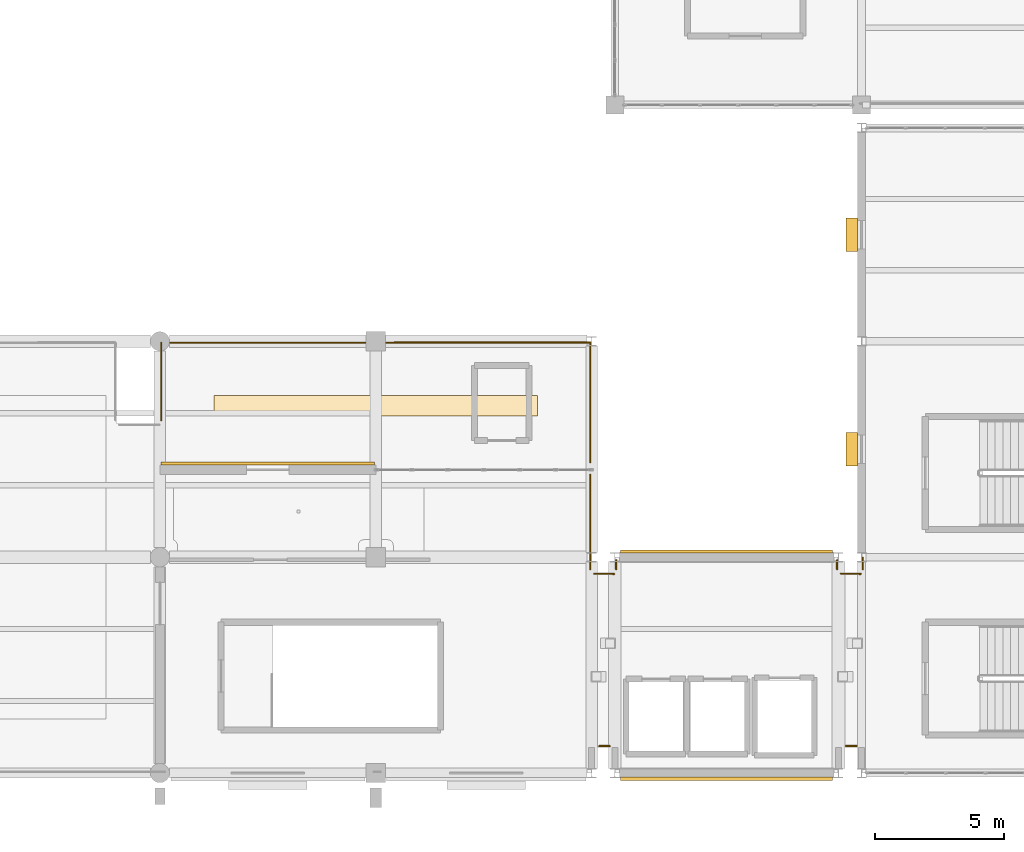
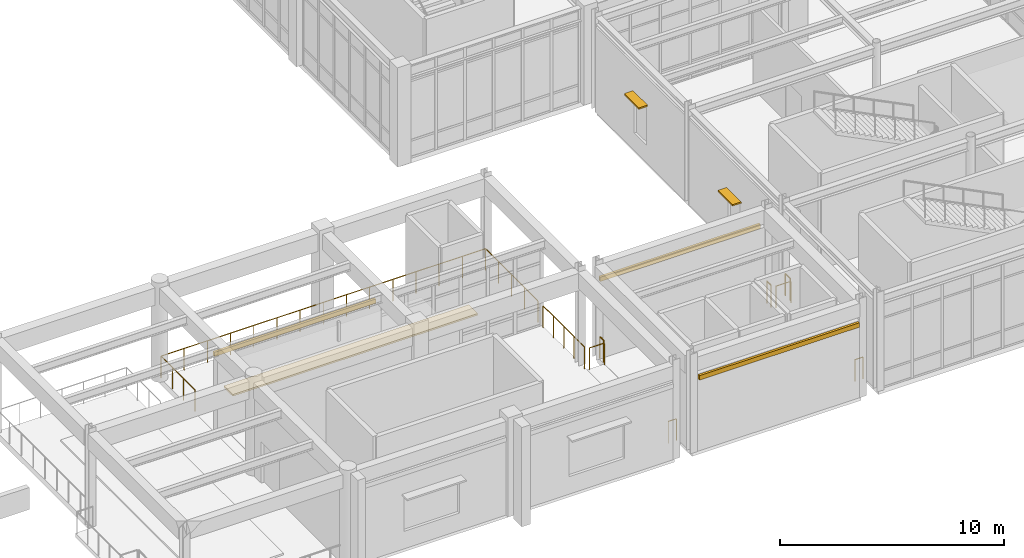
# One storey, part 73 of 80: 11 railings, 4 coverings, 2 shading devices.
"""IFC4 building model written with IfcOpenShell, lengths in metres."""

from ifc_helpers import new_model, si_unit, direction, frame, origin, origin_2d, place, context, subcontext, project, spatial, rectangle, circle, extrude, material, layer, layer_set, type_object, element, save


model = new_model("IFC4")

# Units and contexts
model_context = context("Model", 3, precision=1e-05, world=origin(), true_north=direction((0.0, 1.0)))
body_context = subcontext(model_context, "Body", "Model", "MODEL_VIEW")
ifc_project = project(units=[si_unit("LENGTHUNIT", "METRE"), si_unit("AREAUNIT", "SQUARE_METRE"), si_unit("VOLUMEUNIT", "CUBIC_METRE"), si_unit("PLANEANGLEUNIT", "RADIAN"), si_unit("MASSUNIT", "GRAM", prefix="KILO")], contexts=[model_context])

# Site, building, storey
site_placement = place(None, origin())
site = spatial("IfcSite", under=ifc_project, at=site_placement, CompositionType="ELEMENT")
building_placement = place(site_placement, origin())
building = spatial("IfcBuilding", under=site, at=building_placement, Name="Canglan Escarpment Cableway Terminal", CompositionType="ELEMENT")
storey_placement = place(building_placement, frame((0.0, 0.0, 19.199951171875)))
storey = spatial("IfcBuildingStorey", under=building, at=storey_placement, Name="L04", CompositionType="ELEMENT", Elevation=19.199951171875)

# Coverings
ifc_material_1 = material(Name="Carved classical limestone cornice", Category="masonry")
ifc_layer_1 = layer(ifc_material_1, 0.1201171875, Name="Carved classical limestone cornice")
ifc_layer_set_1 = layer_set([ifc_layer_1], Name="Carved classical limestone cornice")
covering_type_1 = type_object("IfcCoveringType", Name="COV-CORNICE-STONE", PredefinedType="CLADDING", material=ifc_layer_set_1)
covering_1_placement = place(storey_placement, frame((124.10009765625, 20.0400390625, 4.03515625), z_axis=(0.0, 0.0, 1.0), x_axis=(-1.0, 0.0, 0.0)))
element("IfcCovering", 1, at=covering_1_placement, inside=storey, type_object=covering_type_1, Name="Classical carved limestone cornice CL-01", PredefinedType="CLADDING", context=body_context, shape_type="SweptSolid", body=[
    extrude(rectangle(XDim=8.300048828125, YDim=0.1201171875, at=origin_2d()), origin(), (0.0, 0.0, 1.0), 0.239990234375),
])
for number, where, z_axis, x_axis, name in (
    (2, (141.949951171875, 7.780029296875, 3.93505859375), (0.0, 0.0, 1.0), (1.0, 0.0, 0.0), "Classical carved limestone cornice CL-01"),
    (3, (141.949951171875, 16.6201171875, 3.93505859375), (0.0, 0.0, 1.0), (-1.0, 0.0, 0.0), "Classical carved limestone cornice CL-01"),
):
    element("IfcCovering", number, at=place(storey_placement, frame(where, z_axis=z_axis, x_axis=x_axis)), inside=storey, type_object=covering_type_1, Name=name, PredefinedType="CLADDING", context=body_context, shape_type="SweptSolid", body=[
        extrude(rectangle(XDim=8.25, YDim=0.1201171875, at=origin_2d()), origin(), (0.0, 0.0, 1.0), 0.239990234375),
    ])
ifc_material_2 = material(Name="Planted extensive sedum green roof assembly", Category="earth")
ifc_layer_2 = layer(ifc_material_2, 0.090087890625, Name="Planted extensive sedum green roof assembly")
ifc_layer_set_2 = layer_set([ifc_layer_2], Name="Planted extensive sedum green roof assembly")
covering_type_2 = type_object("IfcCoveringType", Name="COV-ROOF-GREEN", PredefinedType="ROOFING", material=ifc_layer_set_2)
covering_2_placement = place(storey_placement, frame((128.300048828125, 22.300048828125, 0.0), z_axis=(0.0, 0.0, 1.0), x_axis=(1.0, 0.0, 0.0)))
element("IfcCovering", 4, at=covering_2_placement, inside=storey, type_object=covering_type_2, Name="Planted extensive sedum green roof garden RF-G1", PredefinedType="ROOFING", context=body_context, shape_type="SweptSolid", body=[
    extrude(rectangle(XDim=12.60009765625, YDim=0.800048828125, at=origin_2d()), origin(), (0.0, 0.0, 1.0), 0.090087890625),
])

# Railings
ifc_material_3 = material(Name="Carved limestone and anodized bronze balustrade", Category="masonry")
railing_type = type_object("IfcRailingType", Name="RL-EXT-BALUSTRADE-1200", PredefinedType="BALUSTRADE", material=ifc_material_3)
railing_1_placement = place(storey_placement, frame((119.949951171875, 21.72998046875, 0.0)))
element("IfcRailing", 5, at=railing_1_placement, inside=storey, type_object=railing_type, Name="Classical terrace balustrade guard GD-01 (L04)", PredefinedType="BALUSTRADE", context=body_context, shape_type="SweptSolid", body=[
    extrude(circle(Radius=0.02392578125, at=origin_2d()), frame((0.0, 0.0, 1.17578125), z_axis=(0.0, 1.0, 0.0), x_axis=(-1.0, 0.0, 0.0)), (0.0, 0.0, 1.0), 3.01806640625),
    extrude(circle(Radius=0.02099609375, at=origin_2d()), origin(), (0.0, 0.0, 1.0), 1.15185546875),
    extrude(circle(Radius=0.02099609375, at=origin_2d()), frame((0.0, 1.006103515625, 0.0)), (0.0, 0.0, 1.0), 1.15185546875),
    extrude(circle(Radius=0.02099609375, at=origin_2d()), frame((0.0, 2.011962890625, 0.0)), (0.0, 0.0, 1.0), 1.15185546875),
    extrude(circle(Radius=0.02099609375, at=origin_2d()), frame((0.0, 3.01806640625, 0.0)), (0.0, 0.0, 1.0), 1.15185546875),
])
railing_2_placement = place(storey_placement, frame((119.949951171875, 24.748046875, 0.0)))
element("IfcRailing", 6, at=railing_2_placement, inside=storey, type_object=railing_type, Name="Classical terrace balustrade guard GD-01 (L04)", PredefinedType="BALUSTRADE", context=body_context, shape_type="SweptSolid", body=[
    extrude(circle(Radius=0.02392578125, at=origin_2d()), frame((0.0, 0.0, 1.17578125), z_axis=(0.999999993159, 0.000116967614, 0.0), x_axis=(-0.000116967614, 0.999999993159, 0.0)), (0.0, 0.0, 1.0), 16.697998046875),
    extrude(circle(Radius=0.02099609375, at=origin_2d()), origin(), (0.0, 0.0, 1.0), 1.15185546875),
    extrude(circle(Radius=0.02099609375, at=origin_2d()), frame((1.192626953125, 0.000244140625, 0.0)), (0.0, 0.0, 1.0), 1.15185546875),
    extrude(circle(Radius=0.02099609375, at=origin_2d()), frame((2.385498046875, 0.000244140625, 0.0)), (0.0, 0.0, 1.0), 1.15185546875),
    extrude(circle(Radius=0.02099609375, at=origin_2d()), frame((3.578125, 0.00048828125, 0.0)), (0.0, 0.0, 1.0), 1.15185546875),
    extrude(circle(Radius=0.02099609375, at=origin_2d()), frame((4.770751953125, 0.00048828125, 0.0)), (0.0, 0.0, 1.0), 1.15185546875),
    extrude(circle(Radius=0.02099609375, at=origin_2d()), frame((5.963623046875, 0.000732421875, 0.0)), (0.0, 0.0, 1.0), 1.15185546875),
    extrude(circle(Radius=0.02099609375, at=origin_2d()), frame((7.15625, 0.000732421875, 0.0)), (0.0, 0.0, 1.0), 1.15185546875),
    extrude(circle(Radius=0.02099609375, at=origin_2d()), frame((8.34912109375, 0.0009765625, 0.0)), (0.0, 0.0, 1.0), 1.15185546875),
    extrude(circle(Radius=0.02099609375, at=origin_2d()), frame((9.541748046875, 0.001220703125, 0.0)), (0.0, 0.0, 1.0), 1.15185546875),
    extrude(circle(Radius=0.02099609375, at=origin_2d()), frame((10.734375, 0.001220703125, 0.0)), (0.0, 0.0, 1.0), 1.15185546875),
    extrude(circle(Radius=0.02099609375, at=origin_2d()), frame((11.92724609375, 0.00146484375, 0.0)), (0.0, 0.0, 1.0), 1.15185546875),
    extrude(circle(Radius=0.02099609375, at=origin_2d()), frame((13.119873046875, 0.00146484375, 0.0)), (0.0, 0.0, 1.0), 1.15185546875),
    extrude(circle(Radius=0.02099609375, at=origin_2d()), frame((14.3125, 0.001708984375, 0.0)), (0.0, 0.0, 1.0), 1.15185546875),
    extrude(circle(Radius=0.02099609375, at=origin_2d()), frame((15.50537109375, 0.001708984375, 0.0)), (0.0, 0.0, 1.0), 1.15185546875),
    extrude(circle(Radius=0.02099609375, at=origin_2d()), frame((16.697998046875, 0.001953125, 0.0)), (0.0, 0.0, 1.0), 1.15185546875),
])
railing_3_placement = place(storey_placement, frame((136.64794921875, 24.75, 0.0)))
element("IfcRailing", 7, at=railing_3_placement, inside=storey, type_object=railing_type, Name="Classical terrace balustrade guard GD-01 (L04)", PredefinedType="BALUSTRADE", context=body_context, shape_type="SweptSolid", body=[
    extrude(circle(Radius=0.02392578125, at=origin_2d()), frame((0.0, 0.0, 1.17578125), z_axis=(0.000419133405, -0.999999912164, 0.0), x_axis=(0.999999912164, 0.000419133405, 0.0)), (0.0, 0.0, 1.0), 4.659912109375),
    extrude(circle(Radius=0.02099609375, at=origin_2d()), origin(), (0.0, 0.0, 1.0), 1.15185546875),
    extrude(circle(Radius=0.02099609375, at=origin_2d()), frame((0.00048828125, -1.1650390625, 0.0)), (0.0, 0.0, 1.0), 1.15185546875),
    extrude(circle(Radius=0.02099609375, at=origin_2d()), frame((0.0009765625, -2.330078125, 0.0)), (0.0, 0.0, 1.0), 1.15185546875),
    extrude(circle(Radius=0.02099609375, at=origin_2d()), frame((0.00146484375, -3.494873046875, 0.0)), (0.0, 0.0, 1.0), 1.15185546875),
    extrude(circle(Radius=0.02099609375, at=origin_2d()), frame((0.001953125, -4.659912109375, 0.0)), (0.0, 0.0, 1.0), 1.15185546875),
])
railing_4_placement = place(storey_placement, frame((136.64990234375, 19.610107421875, 0.0)))
element("IfcRailing", 8, at=railing_4_placement, inside=storey, type_object=railing_type, Name="Classical terrace balustrade guard GD-01 (L04)", PredefinedType="BALUSTRADE", context=body_context, shape_type="SweptSolid", body=[
    extrude(circle(Radius=0.02392578125, at=origin_2d()), frame((0.0, 0.0, 1.17578125), z_axis=(0.0, -1.0, 0.0), x_axis=(1.0, 0.0, 0.0)), (0.0, 0.0, 1.0), 3.68017578125),
    extrude(circle(Radius=0.02099609375, at=origin_2d()), origin(), (0.0, 0.0, 1.0), 1.15185546875),
    extrude(circle(Radius=0.02099609375, at=origin_2d()), frame((0.0, -0.919921875, 0.0)), (0.0, 0.0, 1.0), 1.15185546875),
    extrude(circle(Radius=0.02099609375, at=origin_2d()), frame((0.0, -1.840087890625, 0.0)), (0.0, 0.0, 1.0), 1.15185546875),
    extrude(circle(Radius=0.02099609375, at=origin_2d()), frame((0.0, -2.76025390625, 0.0)), (0.0, 0.0, 1.0), 1.15185546875),
    extrude(circle(Radius=0.02099609375, at=origin_2d()), frame((0.0, -3.68017578125, 0.0)), (0.0, 0.0, 1.0), 1.15185546875),
])
railing_5_placement = place(storey_placement, frame((136.79931640625, 15.756103515625, 0.0)))
element("IfcRailing", 9, at=railing_5_placement, inside=storey, type_object=railing_type, Name="Classical terrace balustrade guard GD-01 (L04)", PredefinedType="BALUSTRADE", context=body_context, shape_type="SweptSolid", body=[
    extrude(circle(Radius=0.02392578125, at=origin_2d()), frame((0.0, 0.0, 1.17578125), z_axis=(0.999968646904, -0.007918662076, 0.0), x_axis=(0.007918662076, 0.999968646904, 0.0)), (0.0, 0.0, 1.0), 0.770751953125),
    extrude(circle(Radius=0.02099609375, at=origin_2d()), origin(), (0.0, 0.0, 1.0), 1.15185546875),
    extrude(circle(Radius=0.02099609375, at=origin_2d()), frame((0.770751953125, -0.006103515625, 0.0)), (0.0, 0.0, 1.0), 1.15185546875),
])
railing_6_placement = place(storey_placement, frame((137.64990234375, 15.929931640625, 0.0)))
element("IfcRailing", 10, at=railing_6_placement, inside=storey, type_object=railing_type, Name="Classical terrace balustrade guard GD-01 (L04)", PredefinedType="BALUSTRADE", context=body_context, shape_type="SweptSolid", body=[
    extrude(circle(Radius=0.02392578125, at=origin_2d()), frame((0.0, 0.0, 1.17578125), z_axis=(0.0, 1.0, 0.0), x_axis=(-1.0, 0.0, 0.0)), (0.0, 0.0, 1.0), 0.356201171875),
    extrude(circle(Radius=0.02099609375, at=origin_2d()), origin(), (0.0, 0.0, 1.0), 1.15185546875),
    extrude(circle(Radius=0.02099609375, at=origin_2d()), frame((0.0, 0.356201171875, 0.0)), (0.0, 0.0, 1.0), 1.15185546875),
])
railing_7_placement = place(storey_placement, frame((146.25, 16.2861328125, 0.0)))
element("IfcRailing", 11, at=railing_7_placement, inside=storey, type_object=railing_type, Name="Classical terrace balustrade guard GD-01 (L04)", PredefinedType="BALUSTRADE", context=body_context, shape_type="SweptSolid", body=[
    extrude(circle(Radius=0.02392578125, at=origin_2d()), frame((0.0, 0.0, 1.17578125), z_axis=(0.0, -1.0, 0.0), x_axis=(1.0, 0.0, 0.0)), (0.0, 0.0, 1.0), 0.356201171875),
    extrude(circle(Radius=0.02099609375, at=origin_2d()), origin(), (0.0, 0.0, 1.0), 1.15185546875),
    extrude(circle(Radius=0.02099609375, at=origin_2d()), frame((0.0, -0.356201171875, 0.0)), (0.0, 0.0, 1.0), 1.15185546875),
])
railing_8_placement = place(storey_placement, frame((146.3994140625, 15.756103515625, 0.0)))
element("IfcRailing", 12, at=railing_8_placement, inside=storey, type_object=railing_type, Name="Classical terrace balustrade guard GD-01 (L04)", PredefinedType="BALUSTRADE", context=body_context, shape_type="SweptSolid", body=[
    extrude(circle(Radius=0.02392578125, at=origin_2d()), frame((0.0, 0.0, 1.17578125), z_axis=(0.999968627033, -0.007921171, 0.0), x_axis=(0.007921171, 0.999968627033, 0.0)), (0.0, 0.0, 1.0), 0.7705078125),
    extrude(circle(Radius=0.02099609375, at=origin_2d()), origin(), (0.0, 0.0, 1.0), 1.15185546875),
    extrude(circle(Radius=0.02099609375, at=origin_2d()), frame((0.7705078125, -0.006103515625, 0.0)), (0.0, 0.0, 1.0), 1.15185546875),
])
railing_9_placement = place(storey_placement, frame((147.25, 15.929931640625, 0.0)))
element("IfcRailing", 13, at=railing_9_placement, inside=storey, type_object=railing_type, Name="Classical terrace balustrade guard GD-01 (L04)", PredefinedType="BALUSTRADE", context=body_context, shape_type="SweptSolid", body=[
    extrude(circle(Radius=0.02392578125, at=origin_2d()), frame((0.0, 0.0, 1.17578125), z_axis=(0.0, 1.0, 0.0), x_axis=(-1.0, 0.0, 0.0)), (0.0, 0.0, 1.0), 0.455078125),
    extrude(circle(Radius=0.02099609375, at=origin_2d()), origin(), (0.0, 0.0, 1.0), 1.15185546875),
    extrude(circle(Radius=0.02099609375, at=origin_2d()), frame((0.0, 0.455078125, 0.0)), (0.0, 0.0, 1.0), 1.15185546875),
])
for number, where, name in (
    (14, (147.010009765625, 9.050048828125, 0.0), "Classical terrace balustrade guard GD-01 (L04)"),
    (15, (137.409912109375, 9.050048828125, 0.0), "Classical terrace balustrade guard GD-01 (L04)"),
):
    element("IfcRailing", number, at=place(storey_placement, frame(where)), inside=storey, type_object=railing_type, Name=name, PredefinedType="BALUSTRADE", context=body_context, shape_type="SweptSolid", body=[
        extrude(circle(Radius=0.02392578125, at=origin_2d()), frame((0.0, 0.0, 1.17578125), z_axis=(-1.0, 0.0, 0.0), x_axis=(0.0, -1.0, 0.0)), (0.0, 0.0, 1.0), 0.419921875),
        extrude(circle(Radius=0.02099609375, at=origin_2d()), origin(), (0.0, 0.0, 1.0), 1.15185546875),
        extrude(circle(Radius=0.02099609375, at=origin_2d()), frame((-0.419921875, 0.0, 0.0)), (0.0, 0.0, 1.0), 1.15185546875),
    ])

# Shading devices
ifc_material_4 = material(Name="Anodized architectural bronze aluminium", Category="aluminium")
ifc_layer_3 = layer(ifc_material_4, 0.080078125, Name="Anodized architectural bronze aluminium")
ifc_layer_set_3 = layer_set([ifc_layer_3], Name="Anodized architectural bronze aluminium")
shading_device_type_1 = type_object("IfcShadingDeviceType", Name="SHD-BRONZE-LOUVRE-01", PredefinedType="JALOUSIE", material=ifc_layer_set_3)
shading_device_1_placement = place(storey_placement, frame((146.81494140625, 20.60009765625, 2.919921875), z_axis=(0.0, 0.0, 1.0), x_axis=(0.0, -1.0, 0.0)))
element("IfcShadingDevice", 16, at=shading_device_1_placement, inside=storey, type_object=shading_device_type_1, Name="Anodized bronze sun-shading brise-soleil SD-01", PredefinedType="JALOUSIE", context=body_context, shape_type="SweptSolid", body=[
    extrude(rectangle(XDim=1.300048828125, YDim=0.449951171875, at=origin_2d()), origin(), (0.0, 0.0, 1.0), 0.080078125),
])
ifc_layer_4 = layer(ifc_material_4, 0.10009765625, Name="Anodized architectural bronze aluminium")
ifc_layer_set_4 = layer_set([ifc_layer_4], Name="Anodized architectural bronze aluminium")
shading_device_type_2 = type_object("IfcShadingDeviceType", Name="SHD-BRONZE-LOUVRE-02", PredefinedType="JALOUSIE", material=ifc_layer_set_4)
shading_device_2_placement = place(storey_placement, frame((146.81494140625, 28.949951171875, 3.1201171875), z_axis=(0.0, 0.0, 1.0), x_axis=(0.0, -1.0, 0.0)))
element("IfcShadingDevice", 17, at=shading_device_2_placement, inside=storey, type_object=shading_device_type_2, Name="Anodized bronze sun-shading brise-soleil SD-01", PredefinedType="JALOUSIE", context=body_context, shape_type="SweptSolid", body=[
    extrude(rectangle(XDim=1.300048828125, YDim=0.449951171875, at=origin_2d()), origin(), (0.0, 0.0, 1.0), 0.080078125),
])

save(model, "model.ifc")
